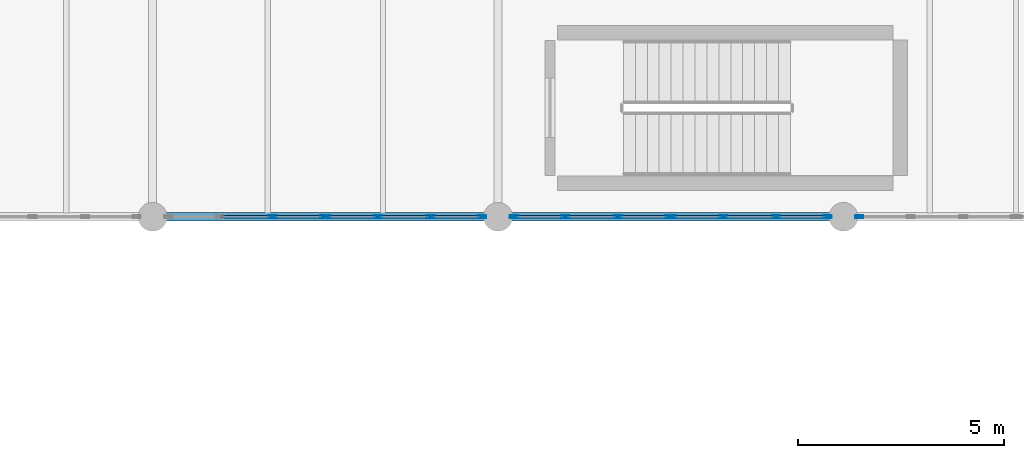
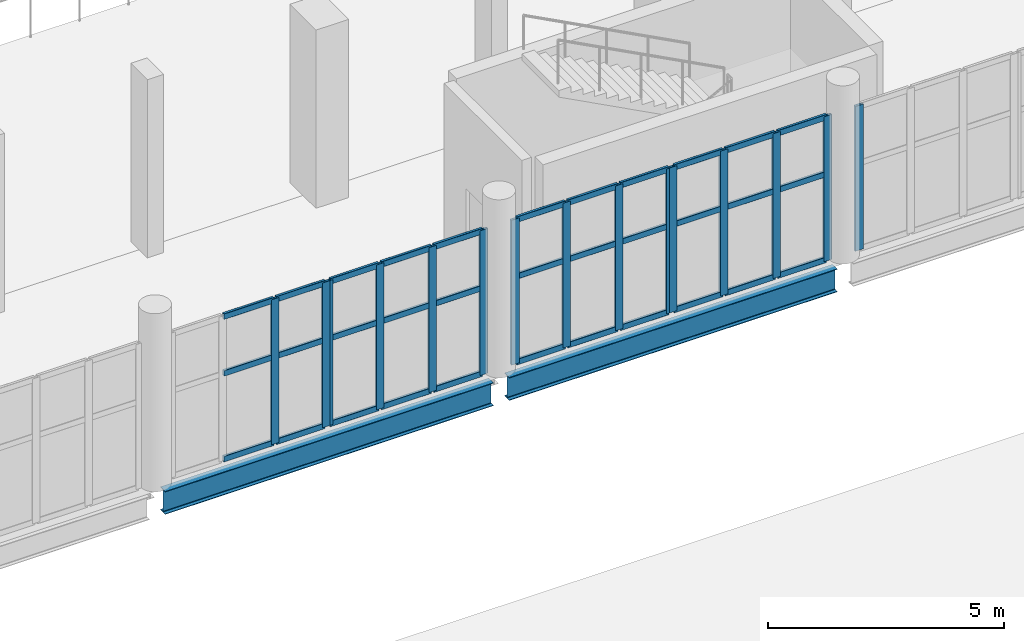
# One storey, part 51 of 136: 48 members, 2 beams, 5 elements without a shape of their own.
"""IFC4 building model written with IfcOpenShell, lengths in metres."""

from ifc_helpers import new_model, si_unit, direction, frame, origin, origin_2d, place, context, subcontext, project, spatial, hollow_rectangle, i_section, extrude, material, material_profile, profile_set, type_object, element, aggregate, save


model = new_model("IFC4")

# Units and contexts
model_context = context("Model", 3, precision=1e-05, world=origin(), true_north=direction((0.0, 1.0)))
body_context = subcontext(model_context, "Body", "Model", "MODEL_VIEW")
ifc_project = project(units=[si_unit("LENGTHUNIT", "METRE"), si_unit("AREAUNIT", "SQUARE_METRE"), si_unit("VOLUMEUNIT", "CUBIC_METRE"), si_unit("PLANEANGLEUNIT", "RADIAN"), si_unit("MASSUNIT", "GRAM", prefix="KILO")], contexts=[model_context])

# Site, building, storey
site_placement = place(None, origin())
site = spatial("IfcSite", under=ifc_project, at=site_placement, CompositionType="ELEMENT")
building_placement = place(site_placement, origin())
building = spatial("IfcBuilding", under=site, at=building_placement, Name="Shengluoqiao Park Theatre", CompositionType="ELEMENT")
storey_placement = place(building_placement, frame((0.0, 0.0, 10.0)))
storey = spatial("IfcBuildingStorey", under=building, at=storey_placement, Name="L02", CompositionType="ELEMENT", Elevation=10.0)

# Curtain wall, members
ifc_material_1 = material(Name="Aluminium 6063-T6", Category="aluminium")
curtain_wall_type = type_object("IfcCurtainWallType", Name="ENV-CW-PROM", PredefinedType="NOTDEFINED", material=ifc_material_1)
curtain_wall_1_placement = place(storey_placement, origin())
curtain_wall_1 = element("IfcCurtainWall", 1, at=curtain_wall_1_placement, inside=storey, type_object=curtain_wall_type, Name="L02 Curtain Wall CW-L02-0070", PredefinedType="NOTDEFINED")
ifc_material_profile_1 = material_profile(ifc_material_1, hollow_rectangle(XDim=0.06494140625, YDim=0.199951171875, WallThickness=0.0048828125, InnerFilletRadius=0.0048828125, OuterFilletRadius=0.010009765625, at=origin_2d()), Name="ALU MULLION 200x65x5")
ifc_profile_set_1 = profile_set([ifc_material_profile_1], Name="Aluminium 6063-T6")
member_type_1 = type_object("IfcMemberType", Name="ENV-MUL-200", PredefinedType="MULLION", material=ifc_profile_set_1)
member_1_placement = place(storey_placement, frame((64.117919921875, 68.39990234375, 0.0), z_axis=(0.0, 0.0, 1.0), x_axis=(0.0, 1.0, 0.0)))
member_1 = element("IfcMember", 2, at=member_1_placement, type_object=member_type_1, Name="CW-04 mullion 3", PredefinedType="MULLION", context=body_context, shape_type="SweptSolid", body=[
    extrude(hollow_rectangle(XDim=0.06494140625, YDim=0.199951171875, WallThickness=0.0048828125, InnerFilletRadius=0.0048828125, OuterFilletRadius=0.010009765625, at=origin_2d()), origin(), (0.0, 0.0, 1.0), 3.741943359375),
])
member_2_placement = place(storey_placement, frame((65.367431640625, 68.39990234375, 0.0), z_axis=(0.0, 0.0, 1.0), x_axis=(0.0, 1.0, 0.0)))
member_2 = element("IfcMember", 3, at=member_2_placement, type_object=member_type_1, Name="CW-04 mullion 4", PredefinedType="MULLION", context=body_context, shape_type="SweptSolid", body=[
    extrude(hollow_rectangle(XDim=0.06494140625, YDim=0.199951171875, WallThickness=0.0048828125, InnerFilletRadius=0.0048828125, OuterFilletRadius=0.010009765625, at=origin_2d()), origin(), (0.0, 0.0, 1.0), 3.741943359375),
])

curtain_wall_2_placement = place(storey_placement, origin())
curtain_wall_2 = element("IfcCurtainWall", 4, at=curtain_wall_2_placement, inside=storey, type_object=curtain_wall_type, Name="L02 Curtain Wall CW-L02-0071", PredefinedType="NOTDEFINED")
member_3_placement = place(storey_placement, frame((65.4326171875, 68.39990234375, 0.0), z_axis=(0.0, 0.0, 1.0), x_axis=(0.0, 1.0, 0.0)))
member_3 = element("IfcMember", 5, at=member_3_placement, type_object=member_type_1, Name="CW-04 mullion 1", PredefinedType="MULLION", context=body_context, shape_type="SweptSolid", body=[
    extrude(hollow_rectangle(XDim=0.06494140625, YDim=0.199951171875, WallThickness=0.0048828125, InnerFilletRadius=0.0048828125, OuterFilletRadius=0.010009765625, at=origin_2d()), origin(), (0.0, 0.0, 1.0), 3.741943359375),
])
member_4_placement = place(storey_placement, frame((66.681884765625, 68.39990234375, 0.0), z_axis=(0.0, 0.0, 1.0), x_axis=(0.0, 1.0, 0.0)))
member_4 = element("IfcMember", 6, at=member_4_placement, type_object=member_type_1, Name="CW-04 mullion 2", PredefinedType="MULLION", context=body_context, shape_type="SweptSolid", body=[
    extrude(hollow_rectangle(XDim=0.06494140625, YDim=0.199951171875, WallThickness=0.0048828125, InnerFilletRadius=0.0048828125, OuterFilletRadius=0.010009765625, at=origin_2d()), origin(), (0.0, 0.0, 1.0), 3.741943359375),
])
member_5_placement = place(storey_placement, frame((67.964111328125, 68.39990234375, 0.0), z_axis=(0.0, 0.0, 1.0), x_axis=(0.0, 1.0, 0.0)))
member_5 = element("IfcMember", 7, at=member_5_placement, type_object=member_type_1, Name="CW-04 mullion 3", PredefinedType="MULLION", context=body_context, shape_type="SweptSolid", body=[
    extrude(hollow_rectangle(XDim=0.06494140625, YDim=0.199951171875, WallThickness=0.0048828125, InnerFilletRadius=0.0048828125, OuterFilletRadius=0.010009765625, at=origin_2d()), origin(), (0.0, 0.0, 1.0), 3.741943359375),
])
member_6_placement = place(storey_placement, frame((69.21337890625, 68.39990234375, 0.0), z_axis=(0.0, 0.0, 1.0), x_axis=(0.0, 1.0, 0.0)))
member_6 = element("IfcMember", 8, at=member_6_placement, type_object=member_type_1, Name="CW-04 mullion 4", PredefinedType="MULLION", context=body_context, shape_type="SweptSolid", body=[
    extrude(hollow_rectangle(XDim=0.06494140625, YDim=0.199951171875, WallThickness=0.0048828125, InnerFilletRadius=0.0048828125, OuterFilletRadius=0.010009765625, at=origin_2d()), origin(), (0.0, 0.0, 1.0), 3.741943359375),
])

curtain_wall_3_placement = place(storey_placement, origin())
curtain_wall_3 = element("IfcCurtainWall", 9, at=curtain_wall_3_placement, inside=storey, type_object=curtain_wall_type, Name="L02 Curtain Wall CW-L02-0072", PredefinedType="NOTDEFINED")
member_7_placement = place(storey_placement, frame((69.986572265625, 68.39990234375, 0.0), z_axis=(0.0, 0.0, 1.0), x_axis=(0.0, 1.0, 0.0)))
member_7 = element("IfcMember", 10, at=member_7_placement, type_object=member_type_1, Name="CW-04 mullion 1", PredefinedType="MULLION", context=body_context, shape_type="SweptSolid", body=[
    extrude(hollow_rectangle(XDim=0.06494140625, YDim=0.199951171875, WallThickness=0.0048828125, InnerFilletRadius=0.0048828125, OuterFilletRadius=0.010009765625, at=origin_2d()), origin(), (0.0, 0.0, 1.0), 3.741943359375),
])
member_8_placement = place(storey_placement, frame((71.236083984375, 68.39990234375, 0.0), z_axis=(0.0, 0.0, 1.0), x_axis=(0.0, 1.0, 0.0)))
member_8 = element("IfcMember", 11, at=member_8_placement, type_object=member_type_1, Name="CW-04 mullion 2", PredefinedType="MULLION", context=body_context, shape_type="SweptSolid", body=[
    extrude(hollow_rectangle(XDim=0.06494140625, YDim=0.199951171875, WallThickness=0.0048828125, InnerFilletRadius=0.0048828125, OuterFilletRadius=0.010009765625, at=origin_2d()), origin(), (0.0, 0.0, 1.0), 3.741943359375),
])
member_9_placement = place(storey_placement, frame((72.51806640625, 68.39990234375, 0.0), z_axis=(0.0, 0.0, 1.0), x_axis=(0.0, 1.0, 0.0)))
member_9 = element("IfcMember", 12, at=member_9_placement, type_object=member_type_1, Name="CW-04 mullion 3", PredefinedType="MULLION", context=body_context, shape_type="SweptSolid", body=[
    extrude(hollow_rectangle(XDim=0.06494140625, YDim=0.199951171875, WallThickness=0.0048828125, InnerFilletRadius=0.0048828125, OuterFilletRadius=0.010009765625, at=origin_2d()), origin(), (0.0, 0.0, 1.0), 3.741943359375),
])
member_10_placement = place(storey_placement, frame((73.767578125, 68.39990234375, 0.0), z_axis=(0.0, 0.0, 1.0), x_axis=(0.0, 1.0, 0.0)))
member_10 = element("IfcMember", 13, at=member_10_placement, type_object=member_type_1, Name="CW-04 mullion 4", PredefinedType="MULLION", context=body_context, shape_type="SweptSolid", body=[
    extrude(hollow_rectangle(XDim=0.06494140625, YDim=0.199951171875, WallThickness=0.0048828125, InnerFilletRadius=0.0048828125, OuterFilletRadius=0.010009765625, at=origin_2d()), origin(), (0.0, 0.0, 1.0), 3.741943359375),
])

curtain_wall_4_placement = place(storey_placement, origin())
curtain_wall_4 = element("IfcCurtainWall", 14, at=curtain_wall_4_placement, inside=storey, type_object=curtain_wall_type, Name="L02 Curtain Wall CW-L02-0073", PredefinedType="NOTDEFINED")
member_11_placement = place(storey_placement, frame((73.83251953125, 68.39990234375, 0.0), z_axis=(0.0, 0.0, 1.0), x_axis=(0.0, 1.0, 0.0)))
member_11 = element("IfcMember", 15, at=member_11_placement, type_object=member_type_1, Name="CW-04 mullion 1", PredefinedType="MULLION", context=body_context, shape_type="SweptSolid", body=[
    extrude(hollow_rectangle(XDim=0.06494140625, YDim=0.199951171875, WallThickness=0.0048828125, InnerFilletRadius=0.0048828125, OuterFilletRadius=0.010009765625, at=origin_2d()), origin(), (0.0, 0.0, 1.0), 3.741943359375),
])
member_12_placement = place(storey_placement, frame((75.08203125, 68.39990234375, 0.0), z_axis=(0.0, 0.0, 1.0), x_axis=(0.0, 1.0, 0.0)))
member_12 = element("IfcMember", 16, at=member_12_placement, type_object=member_type_1, Name="CW-04 mullion 2", PredefinedType="MULLION", context=body_context, shape_type="SweptSolid", body=[
    extrude(hollow_rectangle(XDim=0.06494140625, YDim=0.199951171875, WallThickness=0.0048828125, InnerFilletRadius=0.0048828125, OuterFilletRadius=0.010009765625, at=origin_2d()), origin(), (0.0, 0.0, 1.0), 3.741943359375),
])
member_13_placement = place(storey_placement, frame((76.364013671875, 68.39990234375, 0.0), z_axis=(0.0, 0.0, 1.0), x_axis=(0.0, 1.0, 0.0)))
member_13 = element("IfcMember", 17, at=member_13_placement, type_object=member_type_1, Name="CW-04 mullion 3", PredefinedType="MULLION", context=body_context, shape_type="SweptSolid", body=[
    extrude(hollow_rectangle(XDim=0.06494140625, YDim=0.199951171875, WallThickness=0.0048828125, InnerFilletRadius=0.0048828125, OuterFilletRadius=0.010009765625, at=origin_2d()), origin(), (0.0, 0.0, 1.0), 3.741943359375),
])
member_14_placement = place(storey_placement, frame((77.613525390625, 68.39990234375, 0.0), z_axis=(0.0, 0.0, 1.0), x_axis=(0.0, 1.0, 0.0)))
member_14 = element("IfcMember", 18, at=member_14_placement, type_object=member_type_1, Name="CW-04 mullion 4", PredefinedType="MULLION", context=body_context, shape_type="SweptSolid", body=[
    extrude(hollow_rectangle(XDim=0.06494140625, YDim=0.199951171875, WallThickness=0.0048828125, InnerFilletRadius=0.0048828125, OuterFilletRadius=0.010009765625, at=origin_2d()), origin(), (0.0, 0.0, 1.0), 3.741943359375),
])

# Curtain wall, member
curtain_wall_5_placement = place(storey_placement, origin())
curtain_wall_5 = element("IfcCurtainWall", 19, at=curtain_wall_5_placement, inside=storey, type_object=curtain_wall_type, Name="L02 Curtain Wall CW-L02-0074", PredefinedType="NOTDEFINED")
member_15_placement = place(storey_placement, frame((78.386474609375, 68.39990234375, 0.0), z_axis=(0.0, 0.0, 1.0), x_axis=(0.0, 1.0, 0.0)))
member_15 = element("IfcMember", 20, at=member_15_placement, type_object=member_type_1, Name="CW-04 mullion 1", PredefinedType="MULLION", context=body_context, shape_type="SweptSolid", body=[
    extrude(hollow_rectangle(XDim=0.06494140625, YDim=0.199951171875, WallThickness=0.0048828125, InnerFilletRadius=0.0048828125, OuterFilletRadius=0.010009765625, at=origin_2d()), origin(), (0.0, 0.0, 1.0), 3.741943359375),
])
aggregate(curtain_wall_5, [member_15])

# Member
ifc_material_profile_2 = material_profile(ifc_material_1, hollow_rectangle(XDim=0.06494140625, YDim=0.14990234375, WallThickness=0.00390625, InnerFilletRadius=0.00390625, OuterFilletRadius=0.008056640625, at=origin_2d()), Name="ALU TRANSOM 150x65x4")
ifc_profile_set_2 = profile_set([ifc_material_profile_2], Name="Aluminium 6063-T6")
member_type_2 = type_object("IfcMemberType", Name="ENV-TRN-150", PredefinedType="USERDEFINED", material=ifc_profile_set_2)
member_16_placement = place(storey_placement, frame((62.868408203125, 68.39990234375, 0.032470703125), z_axis=(1.0, 0.0, 0.0), x_axis=(0.0, 1.0, 0.0)))
member_16 = element("IfcMember", 21, at=member_16_placement, type_object=member_type_2, Name="CW-04 transom 2.1", ObjectType="TRANSOM", PredefinedType="USERDEFINED", context=body_context, shape_type="SweptSolid", body=[
    extrude(hollow_rectangle(XDim=0.06494140625, YDim=0.14990234375, WallThickness=0.00390625, InnerFilletRadius=0.00390625, OuterFilletRadius=0.008056640625, at=origin_2d()), origin(), (0.0, 0.0, 1.0), 1.217041015625),
])

member_17_placement = place(storey_placement, frame((62.868408203125, 68.39990234375, 2.2451171875), z_axis=(1.0, 0.0, 0.0), x_axis=(0.0, 1.0, 0.0)))
member_17 = element("IfcMember", 22, at=member_17_placement, type_object=member_type_2, Name="CW-04 transom 2.2", ObjectType="TRANSOM", PredefinedType="USERDEFINED", context=body_context, shape_type="SweptSolid", body=[
    extrude(hollow_rectangle(XDim=0.06494140625, YDim=0.14990234375, WallThickness=0.00390625, InnerFilletRadius=0.00390625, OuterFilletRadius=0.008056640625, at=origin_2d()), origin(), (0.0, 0.0, 1.0), 1.217041015625),
])

member_18_placement = place(storey_placement, frame((62.868408203125, 68.39990234375, 3.70947265625), z_axis=(1.0, 0.0, 0.0), x_axis=(0.0, 1.0, 0.0)))
member_18 = element("IfcMember", 23, at=member_18_placement, type_object=member_type_2, Name="CW-04 transom 2.3", ObjectType="TRANSOM", PredefinedType="USERDEFINED", context=body_context, shape_type="SweptSolid", body=[
    extrude(hollow_rectangle(XDim=0.06494140625, YDim=0.14990234375, WallThickness=0.00390625, InnerFilletRadius=0.00390625, OuterFilletRadius=0.008056640625, at=origin_2d()), origin(), (0.0, 0.0, 1.0), 1.217041015625),
])

member_19_placement = place(storey_placement, frame((64.150390625, 68.39990234375, 0.032470703125), z_axis=(1.0, 0.0, 0.0), x_axis=(0.0, 1.0, 0.0)))
member_19 = element("IfcMember", 24, at=member_19_placement, type_object=member_type_2, Name="CW-04 transom 3.1", ObjectType="TRANSOM", PredefinedType="USERDEFINED", context=body_context, shape_type="SweptSolid", body=[
    extrude(hollow_rectangle(XDim=0.06494140625, YDim=0.14990234375, WallThickness=0.00390625, InnerFilletRadius=0.00390625, OuterFilletRadius=0.008056640625, at=origin_2d()), origin(), (0.0, 0.0, 1.0), 1.1845703125),
])

member_20_placement = place(storey_placement, frame((64.150390625, 68.39990234375, 2.2451171875), z_axis=(1.0, 0.0, 0.0), x_axis=(0.0, 1.0, 0.0)))
member_20 = element("IfcMember", 25, at=member_20_placement, type_object=member_type_2, Name="CW-04 transom 3.2", ObjectType="TRANSOM", PredefinedType="USERDEFINED", context=body_context, shape_type="SweptSolid", body=[
    extrude(hollow_rectangle(XDim=0.06494140625, YDim=0.14990234375, WallThickness=0.00390625, InnerFilletRadius=0.00390625, OuterFilletRadius=0.008056640625, at=origin_2d()), origin(), (0.0, 0.0, 1.0), 1.1845703125),
])

member_21_placement = place(storey_placement, frame((64.150390625, 68.39990234375, 3.70947265625), z_axis=(1.0, 0.0, 0.0), x_axis=(0.0, 1.0, 0.0)))
member_21 = element("IfcMember", 26, at=member_21_placement, type_object=member_type_2, Name="CW-04 transom 3.3", ObjectType="TRANSOM", PredefinedType="USERDEFINED", context=body_context, shape_type="SweptSolid", body=[
    extrude(hollow_rectangle(XDim=0.06494140625, YDim=0.14990234375, WallThickness=0.00390625, InnerFilletRadius=0.00390625, OuterFilletRadius=0.008056640625, at=origin_2d()), origin(), (0.0, 0.0, 1.0), 1.1845703125),
])

aggregate(curtain_wall_1, [member_1, member_2, member_16, member_17, member_18, member_19, member_20, member_21])

member_22_placement = place(storey_placement, frame((65.465087890625, 68.39990234375, 0.032470703125), z_axis=(1.0, 0.0, 0.0), x_axis=(0.0, 1.0, 0.0)))
member_22 = element("IfcMember", 27, at=member_22_placement, type_object=member_type_2, Name="CW-04 transom 1.1", ObjectType="TRANSOM", PredefinedType="USERDEFINED", context=body_context, shape_type="SweptSolid", body=[
    extrude(hollow_rectangle(XDim=0.06494140625, YDim=0.14990234375, WallThickness=0.00390625, InnerFilletRadius=0.00390625, OuterFilletRadius=0.008056640625, at=origin_2d()), origin(), (0.0, 0.0, 1.0), 1.184326171875),
])

member_23_placement = place(storey_placement, frame((65.465087890625, 68.39990234375, 2.2451171875), z_axis=(1.0, 0.0, 0.0), x_axis=(0.0, 1.0, 0.0)))
member_23 = element("IfcMember", 28, at=member_23_placement, type_object=member_type_2, Name="CW-04 transom 1.2", ObjectType="TRANSOM", PredefinedType="USERDEFINED", context=body_context, shape_type="SweptSolid", body=[
    extrude(hollow_rectangle(XDim=0.06494140625, YDim=0.14990234375, WallThickness=0.00390625, InnerFilletRadius=0.00390625, OuterFilletRadius=0.008056640625, at=origin_2d()), origin(), (0.0, 0.0, 1.0), 1.184326171875),
])

member_24_placement = place(storey_placement, frame((65.465087890625, 68.39990234375, 3.70947265625), z_axis=(1.0, 0.0, 0.0), x_axis=(0.0, 1.0, 0.0)))
member_24 = element("IfcMember", 29, at=member_24_placement, type_object=member_type_2, Name="CW-04 transom 1.3", ObjectType="TRANSOM", PredefinedType="USERDEFINED", context=body_context, shape_type="SweptSolid", body=[
    extrude(hollow_rectangle(XDim=0.06494140625, YDim=0.14990234375, WallThickness=0.00390625, InnerFilletRadius=0.00390625, OuterFilletRadius=0.008056640625, at=origin_2d()), origin(), (0.0, 0.0, 1.0), 1.184326171875),
])

member_25_placement = place(storey_placement, frame((66.714599609375, 68.39990234375, 0.032470703125), z_axis=(1.0, 0.0, 0.0), x_axis=(0.0, 1.0, 0.0)))
member_25 = element("IfcMember", 30, at=member_25_placement, type_object=member_type_2, Name="CW-04 transom 2.1", ObjectType="TRANSOM", PredefinedType="USERDEFINED", context=body_context, shape_type="SweptSolid", body=[
    extrude(hollow_rectangle(XDim=0.06494140625, YDim=0.14990234375, WallThickness=0.00390625, InnerFilletRadius=0.00390625, OuterFilletRadius=0.008056640625, at=origin_2d()), origin(), (0.0, 0.0, 1.0), 1.216796875),
])

member_26_placement = place(storey_placement, frame((66.714599609375, 68.39990234375, 2.2451171875), z_axis=(1.0, 0.0, 0.0), x_axis=(0.0, 1.0, 0.0)))
member_26 = element("IfcMember", 31, at=member_26_placement, type_object=member_type_2, Name="CW-04 transom 2.2", ObjectType="TRANSOM", PredefinedType="USERDEFINED", context=body_context, shape_type="SweptSolid", body=[
    extrude(hollow_rectangle(XDim=0.06494140625, YDim=0.14990234375, WallThickness=0.00390625, InnerFilletRadius=0.00390625, OuterFilletRadius=0.008056640625, at=origin_2d()), origin(), (0.0, 0.0, 1.0), 1.216796875),
])

member_27_placement = place(storey_placement, frame((66.714599609375, 68.39990234375, 3.70947265625), z_axis=(1.0, 0.0, 0.0), x_axis=(0.0, 1.0, 0.0)))
member_27 = element("IfcMember", 32, at=member_27_placement, type_object=member_type_2, Name="CW-04 transom 2.3", ObjectType="TRANSOM", PredefinedType="USERDEFINED", context=body_context, shape_type="SweptSolid", body=[
    extrude(hollow_rectangle(XDim=0.06494140625, YDim=0.14990234375, WallThickness=0.00390625, InnerFilletRadius=0.00390625, OuterFilletRadius=0.008056640625, at=origin_2d()), origin(), (0.0, 0.0, 1.0), 1.216796875),
])

member_28_placement = place(storey_placement, frame((67.99658203125, 68.39990234375, 0.032470703125), z_axis=(1.0, 0.0, 0.0), x_axis=(0.0, 1.0, 0.0)))
member_28 = element("IfcMember", 33, at=member_28_placement, type_object=member_type_2, Name="CW-04 transom 3.1", ObjectType="TRANSOM", PredefinedType="USERDEFINED", context=body_context, shape_type="SweptSolid", body=[
    extrude(hollow_rectangle(XDim=0.06494140625, YDim=0.14990234375, WallThickness=0.00390625, InnerFilletRadius=0.00390625, OuterFilletRadius=0.008056640625, at=origin_2d()), origin(), (0.0, 0.0, 1.0), 1.184326171875),
])

member_29_placement = place(storey_placement, frame((67.99658203125, 68.39990234375, 2.2451171875), z_axis=(1.0, 0.0, 0.0), x_axis=(0.0, 1.0, 0.0)))
member_29 = element("IfcMember", 34, at=member_29_placement, type_object=member_type_2, Name="CW-04 transom 3.2", ObjectType="TRANSOM", PredefinedType="USERDEFINED", context=body_context, shape_type="SweptSolid", body=[
    extrude(hollow_rectangle(XDim=0.06494140625, YDim=0.14990234375, WallThickness=0.00390625, InnerFilletRadius=0.00390625, OuterFilletRadius=0.008056640625, at=origin_2d()), origin(), (0.0, 0.0, 1.0), 1.184326171875),
])

member_30_placement = place(storey_placement, frame((67.99658203125, 68.39990234375, 3.70947265625), z_axis=(1.0, 0.0, 0.0), x_axis=(0.0, 1.0, 0.0)))
member_30 = element("IfcMember", 35, at=member_30_placement, type_object=member_type_2, Name="CW-04 transom 3.3", ObjectType="TRANSOM", PredefinedType="USERDEFINED", context=body_context, shape_type="SweptSolid", body=[
    extrude(hollow_rectangle(XDim=0.06494140625, YDim=0.14990234375, WallThickness=0.00390625, InnerFilletRadius=0.00390625, OuterFilletRadius=0.008056640625, at=origin_2d()), origin(), (0.0, 0.0, 1.0), 1.184326171875),
])

aggregate(curtain_wall_2, [member_3, member_4, member_5, member_6, member_22, member_23, member_24, member_25, member_26, member_27, member_28, member_29, member_30])

member_31_placement = place(storey_placement, frame((70.01904296875, 68.39990234375, 0.032470703125), z_axis=(1.0, 0.0, 0.0), x_axis=(0.0, 1.0, 0.0)))
member_31 = element("IfcMember", 36, at=member_31_placement, type_object=member_type_2, Name="CW-04 transom 1.1", ObjectType="TRANSOM", PredefinedType="USERDEFINED", context=body_context, shape_type="SweptSolid", body=[
    extrude(hollow_rectangle(XDim=0.06494140625, YDim=0.14990234375, WallThickness=0.00390625, InnerFilletRadius=0.00390625, OuterFilletRadius=0.008056640625, at=origin_2d()), origin(), (0.0, 0.0, 1.0), 1.1845703125),
])

member_32_placement = place(storey_placement, frame((70.01904296875, 68.39990234375, 2.2451171875), z_axis=(1.0, 0.0, 0.0), x_axis=(0.0, 1.0, 0.0)))
member_32 = element("IfcMember", 37, at=member_32_placement, type_object=member_type_2, Name="CW-04 transom 1.2", ObjectType="TRANSOM", PredefinedType="USERDEFINED", context=body_context, shape_type="SweptSolid", body=[
    extrude(hollow_rectangle(XDim=0.06494140625, YDim=0.14990234375, WallThickness=0.00390625, InnerFilletRadius=0.00390625, OuterFilletRadius=0.008056640625, at=origin_2d()), origin(), (0.0, 0.0, 1.0), 1.1845703125),
])

member_33_placement = place(storey_placement, frame((70.01904296875, 68.39990234375, 3.70947265625), z_axis=(1.0, 0.0, 0.0), x_axis=(0.0, 1.0, 0.0)))
member_33 = element("IfcMember", 38, at=member_33_placement, type_object=member_type_2, Name="CW-04 transom 1.3", ObjectType="TRANSOM", PredefinedType="USERDEFINED", context=body_context, shape_type="SweptSolid", body=[
    extrude(hollow_rectangle(XDim=0.06494140625, YDim=0.14990234375, WallThickness=0.00390625, InnerFilletRadius=0.00390625, OuterFilletRadius=0.008056640625, at=origin_2d()), origin(), (0.0, 0.0, 1.0), 1.1845703125),
])

member_34_placement = place(storey_placement, frame((71.2685546875, 68.39990234375, 0.032470703125), z_axis=(1.0, 0.0, 0.0), x_axis=(0.0, 1.0, 0.0)))
member_34 = element("IfcMember", 39, at=member_34_placement, type_object=member_type_2, Name="CW-04 transom 2.1", ObjectType="TRANSOM", PredefinedType="USERDEFINED", context=body_context, shape_type="SweptSolid", body=[
    extrude(hollow_rectangle(XDim=0.06494140625, YDim=0.14990234375, WallThickness=0.00390625, InnerFilletRadius=0.00390625, OuterFilletRadius=0.008056640625, at=origin_2d()), origin(), (0.0, 0.0, 1.0), 1.217041015625),
])

member_35_placement = place(storey_placement, frame((71.2685546875, 68.39990234375, 2.2451171875), z_axis=(1.0, 0.0, 0.0), x_axis=(0.0, 1.0, 0.0)))
member_35 = element("IfcMember", 40, at=member_35_placement, type_object=member_type_2, Name="CW-04 transom 2.2", ObjectType="TRANSOM", PredefinedType="USERDEFINED", context=body_context, shape_type="SweptSolid", body=[
    extrude(hollow_rectangle(XDim=0.06494140625, YDim=0.14990234375, WallThickness=0.00390625, InnerFilletRadius=0.00390625, OuterFilletRadius=0.008056640625, at=origin_2d()), origin(), (0.0, 0.0, 1.0), 1.217041015625),
])

member_36_placement = place(storey_placement, frame((71.2685546875, 68.39990234375, 3.70947265625), z_axis=(1.0, 0.0, 0.0), x_axis=(0.0, 1.0, 0.0)))
member_36 = element("IfcMember", 41, at=member_36_placement, type_object=member_type_2, Name="CW-04 transom 2.3", ObjectType="TRANSOM", PredefinedType="USERDEFINED", context=body_context, shape_type="SweptSolid", body=[
    extrude(hollow_rectangle(XDim=0.06494140625, YDim=0.14990234375, WallThickness=0.00390625, InnerFilletRadius=0.00390625, OuterFilletRadius=0.008056640625, at=origin_2d()), origin(), (0.0, 0.0, 1.0), 1.217041015625),
])

member_37_placement = place(storey_placement, frame((72.550537109375, 68.39990234375, 0.032470703125), z_axis=(1.0, 0.0, 0.0), x_axis=(0.0, 1.0, 0.0)))
member_37 = element("IfcMember", 42, at=member_37_placement, type_object=member_type_2, Name="CW-04 transom 3.1", ObjectType="TRANSOM", PredefinedType="USERDEFINED", context=body_context, shape_type="SweptSolid", body=[
    extrude(hollow_rectangle(XDim=0.06494140625, YDim=0.14990234375, WallThickness=0.00390625, InnerFilletRadius=0.00390625, OuterFilletRadius=0.008056640625, at=origin_2d()), origin(), (0.0, 0.0, 1.0), 1.1845703125),
])

member_38_placement = place(storey_placement, frame((72.550537109375, 68.39990234375, 2.2451171875), z_axis=(1.0, 0.0, 0.0), x_axis=(0.0, 1.0, 0.0)))
member_38 = element("IfcMember", 43, at=member_38_placement, type_object=member_type_2, Name="CW-04 transom 3.2", ObjectType="TRANSOM", PredefinedType="USERDEFINED", context=body_context, shape_type="SweptSolid", body=[
    extrude(hollow_rectangle(XDim=0.06494140625, YDim=0.14990234375, WallThickness=0.00390625, InnerFilletRadius=0.00390625, OuterFilletRadius=0.008056640625, at=origin_2d()), origin(), (0.0, 0.0, 1.0), 1.1845703125),
])

member_39_placement = place(storey_placement, frame((72.550537109375, 68.39990234375, 3.70947265625), z_axis=(1.0, 0.0, 0.0), x_axis=(0.0, 1.0, 0.0)))
member_39 = element("IfcMember", 44, at=member_39_placement, type_object=member_type_2, Name="CW-04 transom 3.3", ObjectType="TRANSOM", PredefinedType="USERDEFINED", context=body_context, shape_type="SweptSolid", body=[
    extrude(hollow_rectangle(XDim=0.06494140625, YDim=0.14990234375, WallThickness=0.00390625, InnerFilletRadius=0.00390625, OuterFilletRadius=0.008056640625, at=origin_2d()), origin(), (0.0, 0.0, 1.0), 1.1845703125),
])

aggregate(curtain_wall_3, [member_7, member_8, member_9, member_10, member_31, member_32, member_33, member_34, member_35, member_36, member_37, member_38, member_39])

member_40_placement = place(storey_placement, frame((73.864990234375, 68.39990234375, 0.032470703125), z_axis=(1.0, 0.0, 0.0), x_axis=(0.0, 1.0, 0.0)))
member_40 = element("IfcMember", 45, at=member_40_placement, type_object=member_type_2, Name="CW-04 transom 1.1", ObjectType="TRANSOM", PredefinedType="USERDEFINED", context=body_context, shape_type="SweptSolid", body=[
    extrude(hollow_rectangle(XDim=0.06494140625, YDim=0.14990234375, WallThickness=0.00390625, InnerFilletRadius=0.00390625, OuterFilletRadius=0.008056640625, at=origin_2d()), origin(), (0.0, 0.0, 1.0), 1.1845703125),
])

member_41_placement = place(storey_placement, frame((73.864990234375, 68.39990234375, 2.2451171875), z_axis=(1.0, 0.0, 0.0), x_axis=(0.0, 1.0, 0.0)))
member_41 = element("IfcMember", 46, at=member_41_placement, type_object=member_type_2, Name="CW-04 transom 1.2", ObjectType="TRANSOM", PredefinedType="USERDEFINED", context=body_context, shape_type="SweptSolid", body=[
    extrude(hollow_rectangle(XDim=0.06494140625, YDim=0.14990234375, WallThickness=0.00390625, InnerFilletRadius=0.00390625, OuterFilletRadius=0.008056640625, at=origin_2d()), origin(), (0.0, 0.0, 1.0), 1.1845703125),
])

member_42_placement = place(storey_placement, frame((73.864990234375, 68.39990234375, 3.70947265625), z_axis=(1.0, 0.0, 0.0), x_axis=(0.0, 1.0, 0.0)))
member_42 = element("IfcMember", 47, at=member_42_placement, type_object=member_type_2, Name="CW-04 transom 1.3", ObjectType="TRANSOM", PredefinedType="USERDEFINED", context=body_context, shape_type="SweptSolid", body=[
    extrude(hollow_rectangle(XDim=0.06494140625, YDim=0.14990234375, WallThickness=0.00390625, InnerFilletRadius=0.00390625, OuterFilletRadius=0.008056640625, at=origin_2d()), origin(), (0.0, 0.0, 1.0), 1.1845703125),
])

member_43_placement = place(storey_placement, frame((75.114501953125, 68.39990234375, 0.032470703125), z_axis=(1.0, 0.0, 0.0), x_axis=(0.0, 1.0, 0.0)))
member_43 = element("IfcMember", 48, at=member_43_placement, type_object=member_type_2, Name="CW-04 transom 2.1", ObjectType="TRANSOM", PredefinedType="USERDEFINED", context=body_context, shape_type="SweptSolid", body=[
    extrude(hollow_rectangle(XDim=0.06494140625, YDim=0.14990234375, WallThickness=0.00390625, InnerFilletRadius=0.00390625, OuterFilletRadius=0.008056640625, at=origin_2d()), origin(), (0.0, 0.0, 1.0), 1.217041015625),
])

member_44_placement = place(storey_placement, frame((75.114501953125, 68.39990234375, 2.2451171875), z_axis=(1.0, 0.0, 0.0), x_axis=(0.0, 1.0, 0.0)))
member_44 = element("IfcMember", 49, at=member_44_placement, type_object=member_type_2, Name="CW-04 transom 2.2", ObjectType="TRANSOM", PredefinedType="USERDEFINED", context=body_context, shape_type="SweptSolid", body=[
    extrude(hollow_rectangle(XDim=0.06494140625, YDim=0.14990234375, WallThickness=0.00390625, InnerFilletRadius=0.00390625, OuterFilletRadius=0.008056640625, at=origin_2d()), origin(), (0.0, 0.0, 1.0), 1.217041015625),
])

member_45_placement = place(storey_placement, frame((75.114501953125, 68.39990234375, 3.70947265625), z_axis=(1.0, 0.0, 0.0), x_axis=(0.0, 1.0, 0.0)))
member_45 = element("IfcMember", 50, at=member_45_placement, type_object=member_type_2, Name="CW-04 transom 2.3", ObjectType="TRANSOM", PredefinedType="USERDEFINED", context=body_context, shape_type="SweptSolid", body=[
    extrude(hollow_rectangle(XDim=0.06494140625, YDim=0.14990234375, WallThickness=0.00390625, InnerFilletRadius=0.00390625, OuterFilletRadius=0.008056640625, at=origin_2d()), origin(), (0.0, 0.0, 1.0), 1.217041015625),
])

member_46_placement = place(storey_placement, frame((76.396484375, 68.39990234375, 0.032470703125), z_axis=(1.0, 0.0, 0.0), x_axis=(0.0, 1.0, 0.0)))
member_46 = element("IfcMember", 51, at=member_46_placement, type_object=member_type_2, Name="CW-04 transom 3.1", ObjectType="TRANSOM", PredefinedType="USERDEFINED", context=body_context, shape_type="SweptSolid", body=[
    extrude(hollow_rectangle(XDim=0.06494140625, YDim=0.14990234375, WallThickness=0.00390625, InnerFilletRadius=0.00390625, OuterFilletRadius=0.008056640625, at=origin_2d()), origin(), (0.0, 0.0, 1.0), 1.1845703125),
])

member_47_placement = place(storey_placement, frame((76.396484375, 68.39990234375, 2.2451171875), z_axis=(1.0, 0.0, 0.0), x_axis=(0.0, 1.0, 0.0)))
member_47 = element("IfcMember", 52, at=member_47_placement, type_object=member_type_2, Name="CW-04 transom 3.2", ObjectType="TRANSOM", PredefinedType="USERDEFINED", context=body_context, shape_type="SweptSolid", body=[
    extrude(hollow_rectangle(XDim=0.06494140625, YDim=0.14990234375, WallThickness=0.00390625, InnerFilletRadius=0.00390625, OuterFilletRadius=0.008056640625, at=origin_2d()), origin(), (0.0, 0.0, 1.0), 1.1845703125),
])

member_48_placement = place(storey_placement, frame((76.396484375, 68.39990234375, 3.70947265625), z_axis=(1.0, 0.0, 0.0), x_axis=(0.0, 1.0, 0.0)))
member_48 = element("IfcMember", 53, at=member_48_placement, type_object=member_type_2, Name="CW-04 transom 3.3", ObjectType="TRANSOM", PredefinedType="USERDEFINED", context=body_context, shape_type="SweptSolid", body=[
    extrude(hollow_rectangle(XDim=0.06494140625, YDim=0.14990234375, WallThickness=0.00390625, InnerFilletRadius=0.00390625, OuterFilletRadius=0.008056640625, at=origin_2d()), origin(), (0.0, 0.0, 1.0), 1.1845703125),
])

aggregate(curtain_wall_4, [member_11, member_12, member_13, member_14, member_40, member_41, member_42, member_43, member_44, member_45, member_46, member_47, member_48])

# Beams
ifc_material_2 = material(Name="Steel Q355", Category="steel")
ifc_material_profile_3 = material_profile(ifc_material_2, i_section(OverallWidth=0.198974609375, OverallDepth=0.595947265625, WebThickness=0.010009765625, FlangeThickness=0.014892578125, FilletRadius=0.02001953125, at=origin_2d()), Name="HN 596x199x10x15")
ifc_profile_set_3 = profile_set([ifc_material_profile_3], Name="Steel Q355")
beam_type = type_object("IfcBeamType", Name="STR-BM-SP-HN596", PredefinedType="SPANDREL", material=ifc_profile_set_3)
for number, where, z_axis, x_axis, name in (
    (54, (61.39404296875, 68.39990234375, -0.5380859375), (1.0, 0.0, 0.0), (0.0, 1.0, 0.0), "L02 Primary Girder 00988"),
    (55, (69.7939453125, 68.39990234375, -0.5380859375), (1.0, 0.0, 0.0), (0.0, 1.0, 0.0), "L02 Primary Girder 00989"),
):
    element("IfcBeam", number, at=place(storey_placement, frame(where, z_axis=z_axis, x_axis=x_axis)), inside=storey, type_object=beam_type, Name=name, PredefinedType="SPANDREL", context=body_context, shape_type="SweptSolid", body=[
        extrude(i_section(OverallWidth=0.198974609375, OverallDepth=0.595947265625, WebThickness=0.010009765625, FlangeThickness=0.014892578125, FilletRadius=0.02001953125, at=origin_2d()), origin(), (0.0, 0.0, 1.0), 8.011962890625),
    ])

save(model, "model.ifc")
